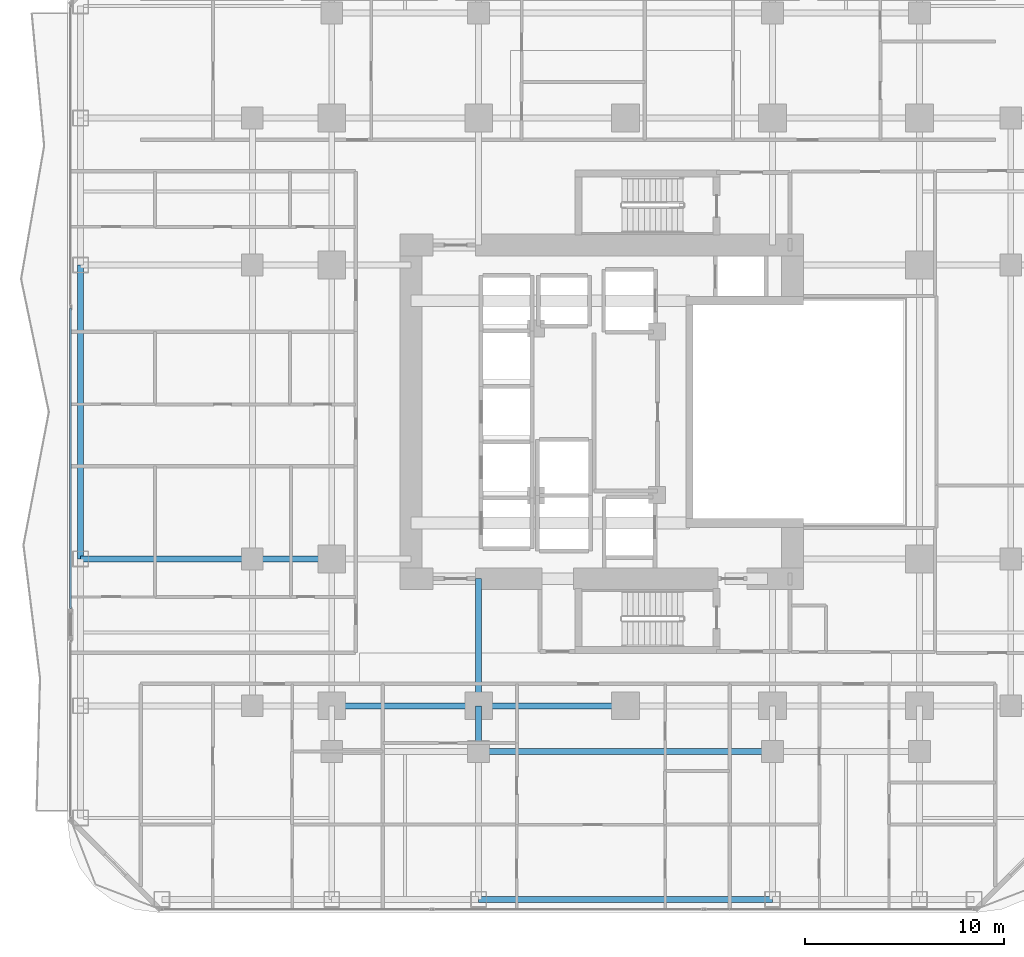
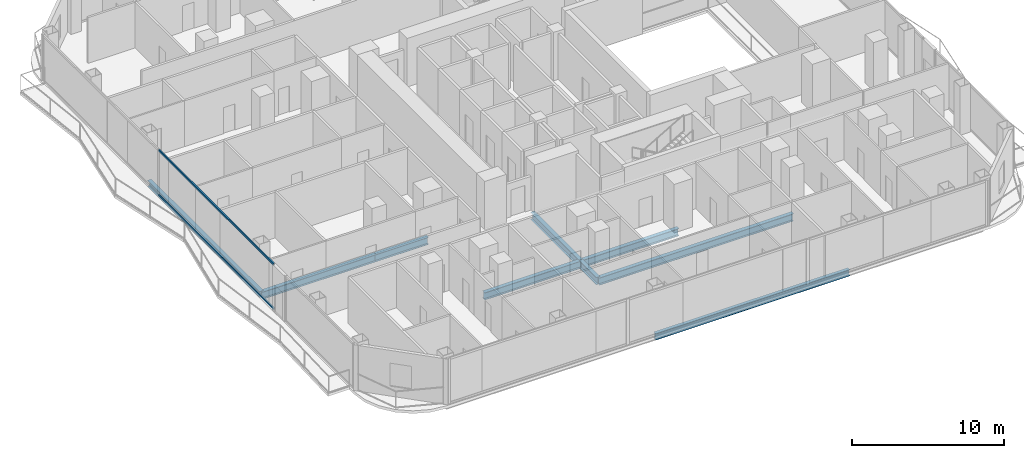
# One storey, part 5 of 29: 9 beams, 2 members, 1 element without a shape of its own.
"""IFC4 building model written with IfcOpenShell, lengths in metres."""

from ifc_helpers import new_model, si_unit, direction, frame, origin, origin_2d, place, context, subcontext, project, spatial, hollow_rectangle, i_section, extrude, material, layer, layer_set, material_profile, profile_set, type_object, element, aggregate, save


model = new_model("IFC4")

# Units and contexts
model_context = context("Model", 3, precision=1e-05, world=origin(), true_north=direction((0.0, 1.0)))
body_context = subcontext(model_context, "Body", "Model", "MODEL_VIEW")
ifc_project = project(units=[si_unit("LENGTHUNIT", "METRE"), si_unit("AREAUNIT", "SQUARE_METRE"), si_unit("VOLUMEUNIT", "CUBIC_METRE"), si_unit("PLANEANGLEUNIT", "RADIAN"), si_unit("MASSUNIT", "GRAM", prefix="KILO")], contexts=[model_context])

# Site, building, storey
site_placement = place(None, origin())
site = spatial("IfcSite", under=ifc_project, at=site_placement, CompositionType="ELEMENT")
building_placement = place(site_placement, origin())
building = spatial("IfcBuilding", under=site, at=building_placement, Name="Khorvyn Point Tower", CompositionType="ELEMENT")
storey_placement = place(building_placement, frame((0.0, 0.0, 61.800048828125)))
storey = spatial("IfcBuildingStorey", under=building, at=storey_placement, Name="L16", CompositionType="ELEMENT", Elevation=61.800048828125)

# Curtain wall, members
ifc_material_1 = material(Name="Anodised aluminium 6063-T6 and laminated Low-E glass", Category="aluminium")
ifc_layer = layer(ifc_material_1, 0.18994140625)
ifc_layer_set = layer_set([ifc_layer], Name="Stick-Built Finned Residential Curtain Wall CW-SYS-02")
curtain_wall_type = type_object("IfcCurtainWallType", Name="Stick-Built Finned Residential Curtain Wall CW-SYS-02", PredefinedType="NOTDEFINED", material=ifc_layer_set)
curtain_wall_placement = place(storey_placement, origin())
curtain_wall = element("IfcCurtainWall", 1, at=curtain_wall_placement, inside=storey, type_object=curtain_wall_type, Name="Curtain Wall", PredefinedType="NOTDEFINED")
ifc_material_2 = material(Name="Anodised aluminium 6063-T6", Category="aluminium")
ifc_material_profile_1 = material_profile(ifc_material_2, hollow_rectangle(XDim=0.10009765625, YDim=0.159912109375, WallThickness=0.00439453125, at=origin_2d()))
ifc_profile_set_1 = profile_set([ifc_material_profile_1], Name="Anodised aluminium 6063-T6 ALU-TRN-100x160")
member_type = type_object("IfcMemberType", Name="Anodised Aluminium 6063-T6 Transom ALU-TRN-100x160", PredefinedType="USERDEFINED", material=ifc_profile_set_1)
member_1_placement = place(storey_placement, frame((-27.949951171875, -9.89990234375, 0.050048828125), z_axis=(0.0, 1.0, 0.0), x_axis=(-1.0, 0.0, 0.0)))
member_1 = element("IfcMember", 2, at=member_1_placement, type_object=member_type, Name="Transom", ObjectType="TRANSOM", PredefinedType="USERDEFINED", context=body_context, shape_type="SweptSolid", body=[
    extrude(hollow_rectangle(XDim=0.10009765625, YDim=0.159912109375, WallThickness=0.00439453125, at=origin_2d()), origin(), (0.0, 0.0, 1.0), 15.125),
])
member_2_placement = place(storey_placement, frame((-27.949951171875, -9.89990234375, 3.6298828125), z_axis=(0.0, 1.0, 0.0), x_axis=(-1.0, 0.0, 0.0)))
member_2 = element("IfcMember", 3, at=member_2_placement, type_object=member_type, Name="Transom", ObjectType="TRANSOM", PredefinedType="USERDEFINED", context=body_context, shape_type="SweptSolid", body=[
    extrude(hollow_rectangle(XDim=0.10009765625, YDim=0.159912109375, WallThickness=0.00439453125, at=origin_2d()), origin(), (0.0, 0.0, 1.0), 15.125),
])
aggregate(curtain_wall, [member_1, member_2])

# Beams
ifc_material_3 = material(Name="Steel S355", Category="steel")
ifc_material_profile_2 = material_profile(ifc_material_3, i_section(OverallWidth=0.300048828125, OverallDepth=0.587890625, WebThickness=0.011962890625, FlangeThickness=0.02001953125, at=origin_2d()))
ifc_profile_set_2 = profile_set([ifc_material_profile_2], Name="Steel S355 H588x300x12x20")
beam_type_1 = type_object("IfcBeamType", Name="Steel S355 Beam H588x300x12x20", PredefinedType="BEAM", material=ifc_profile_set_2)
beam_1_placement = place(storey_placement, frame((-14.800048828125, -14.800048828125, -0.51416015625), z_axis=(1.0, 0.0, 0.0), x_axis=(0.0, 1.0, 0.0)))
element("IfcBeam", 4, at=beam_1_placement, inside=storey, type_object=beam_type_1, Name="Beam", PredefinedType="BEAM", context=body_context, shape_type="SweptSolid", body=[
    extrude(i_section(OverallWidth=0.300048828125, OverallDepth=0.587890625, WebThickness=0.011962890625, FlangeThickness=0.02001953125, at=origin_2d()), origin(), (0.0, 0.0, 1.0), 7.400146484375),
])
beam_2_placement = place(storey_placement, frame((-7.39990234375, -14.800048828125, -0.51416015625), z_axis=(1.0, 0.0, 0.0), x_axis=(0.0, 1.0, 0.0)))
element("IfcBeam", 5, at=beam_2_placement, inside=storey, type_object=beam_type_1, Name="Beam", PredefinedType="BEAM", context=body_context, shape_type="SweptSolid", body=[
    extrude(i_section(OverallWidth=0.300048828125, OverallDepth=0.587890625, WebThickness=0.011962890625, FlangeThickness=0.02001953125, at=origin_2d()), origin(), (0.0, 0.0, 1.0), 7.39990234375),
])
beam_3_placement = place(storey_placement, frame((-27.449951171875, -7.39990234375, -0.51416015625), z_axis=(1.0, 0.0, 0.0), x_axis=(0.0, 1.0, 0.0)))
element("IfcBeam", 6, at=beam_3_placement, inside=storey, type_object=beam_type_1, Name="Beam", PredefinedType="BEAM", context=body_context, shape_type="SweptSolid", body=[
    extrude(i_section(OverallWidth=0.300048828125, OverallDepth=0.587890625, WebThickness=0.011962890625, FlangeThickness=0.02001953125, at=origin_2d()), origin(), (0.0, 0.0, 1.0), 8.64990234375),
])
beam_4_placement = place(storey_placement, frame((-18.800048828125, -7.39990234375, -0.51416015625), z_axis=(1.0, 0.0, 0.0), x_axis=(0.0, 1.0, 0.0)))
element("IfcBeam", 7, at=beam_4_placement, inside=storey, type_object=beam_type_1, Name="Beam", PredefinedType="BEAM", context=body_context, shape_type="SweptSolid", body=[
    extrude(i_section(OverallWidth=0.300048828125, OverallDepth=0.587890625, WebThickness=0.011962890625, FlangeThickness=0.02001953125, at=origin_2d()), origin(), (0.0, 0.0, 1.0), 4.0),
])
beam_5_placement = place(storey_placement, frame((-7.39990234375, -17.10009765625, -0.51416015625), z_axis=(1.0, 0.0, 0.0), x_axis=(0.0, 1.0, 0.0)))
element("IfcBeam", 8, at=beam_5_placement, inside=storey, type_object=beam_type_1, Name="Beam", PredefinedType="BEAM", context=body_context, shape_type="SweptSolid", body=[
    extrude(i_section(OverallWidth=0.300048828125, OverallDepth=0.587890625, WebThickness=0.011962890625, FlangeThickness=0.02001953125, at=origin_2d()), origin(), (0.0, 0.0, 1.0), 14.7998046875),
])
beam_6_placement = place(storey_placement, frame((-7.39990234375, -17.10009765625, -0.51416015625), z_axis=(0.0, 1.0, 0.0), x_axis=(-1.0, 0.0, 0.0)))
element("IfcBeam", 9, at=beam_6_placement, inside=storey, type_object=beam_type_1, Name="Beam", PredefinedType="BEAM", context=body_context, shape_type="SweptSolid", body=[
    extrude(i_section(OverallWidth=0.300048828125, OverallDepth=0.587890625, WebThickness=0.011962890625, FlangeThickness=0.02001953125, at=origin_2d()), origin(), (0.0, 0.0, 1.0), 2.300048828125),
])
beam_7_placement = place(storey_placement, frame((-7.39990234375, -14.800048828125, -0.51416015625), z_axis=(0.0, 1.0, 0.0), x_axis=(-1.0, 0.0, 0.0)))
element("IfcBeam", 10, at=beam_7_placement, inside=storey, type_object=beam_type_1, Name="Beam", PredefinedType="BEAM", context=body_context, shape_type="SweptSolid", body=[
    extrude(i_section(OverallWidth=0.300048828125, OverallDepth=0.587890625, WebThickness=0.011962890625, FlangeThickness=0.02001953125, at=origin_2d()), origin(), (0.0, 0.0, 1.0), 6.400146484375),
])
ifc_material_profile_3 = material_profile(ifc_material_3, i_section(OverallWidth=0.300048828125, OverallDepth=0.488037109375, WebThickness=0.010986328125, FlangeThickness=0.01806640625, at=origin_2d()))
ifc_profile_set_3 = profile_set([ifc_material_profile_3], Name="Steel S355 H488x300x11x18")
beam_type_2 = type_object("IfcBeamType", Name="Steel S355 Spandrel H488x300x11x18", PredefinedType="SPANDREL", material=ifc_profile_set_3)
for number, where, z_axis, x_axis, name in (
    (11, (-7.39990234375, -24.550048828125, -0.464111328125), (1.0, 0.0, 0.0), (0.0, 1.0, 0.0), "Beam"),
    (12, (-27.449951171875, -7.39990234375, -0.464111328125), (0.0, 1.0, 0.0), (-1.0, 0.0, 0.0), "Beam"),
):
    element("IfcBeam", number, at=place(storey_placement, frame(where, z_axis=z_axis, x_axis=x_axis)), inside=storey, type_object=beam_type_2, Name=name, PredefinedType="SPANDREL", context=body_context, shape_type="SweptSolid", body=[
        extrude(i_section(OverallWidth=0.300048828125, OverallDepth=0.488037109375, WebThickness=0.010986328125, FlangeThickness=0.01806640625, at=origin_2d()), origin(), (0.0, 0.0, 1.0), 14.7998046875),
    ])

save(model, "model.ifc")
